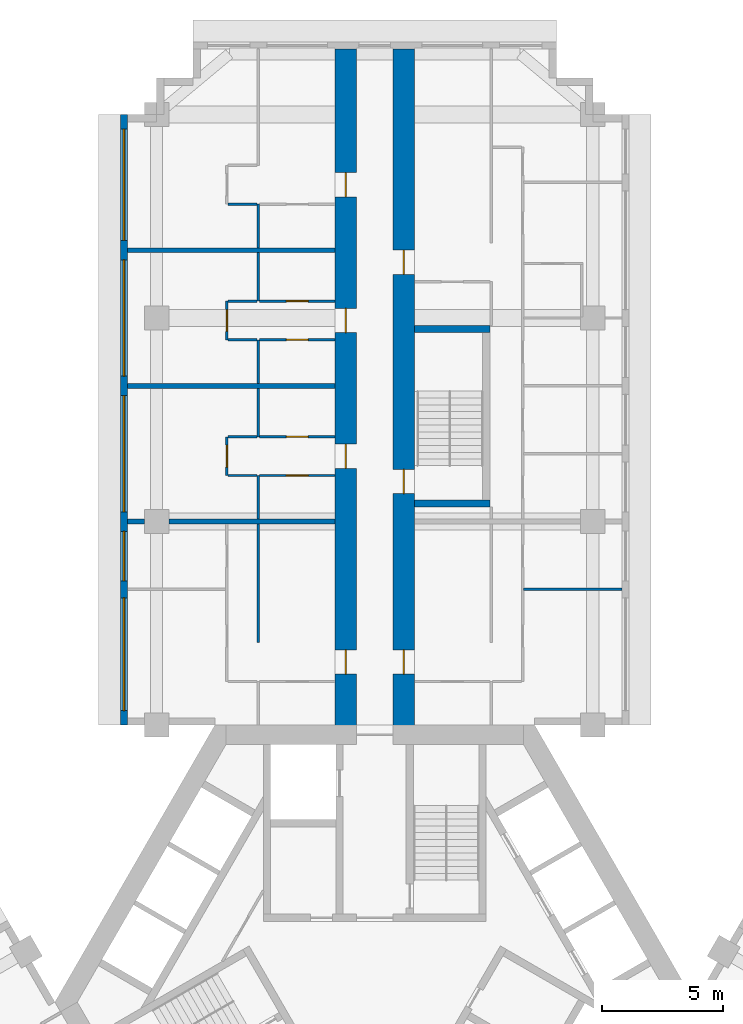
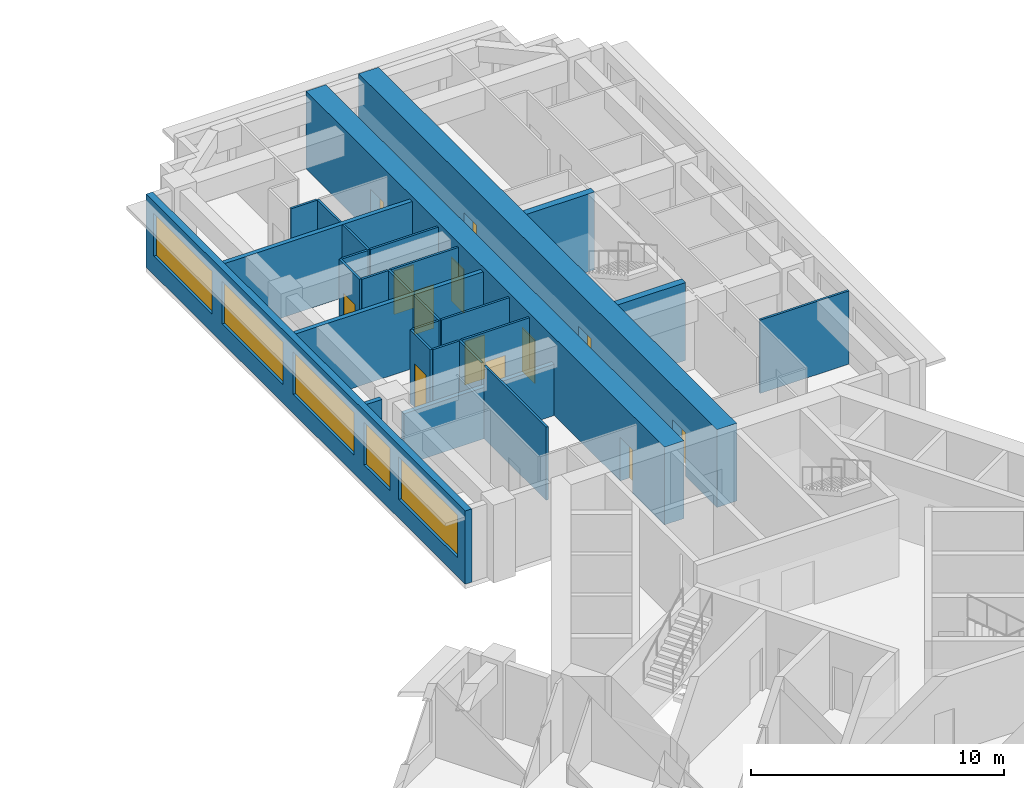
# One storey, part 9 of 15: 27 walls, 13 doors, 5 windows, 18 openings.
"""IFC4 building model written with IfcOpenShell, lengths in metres."""

from ifc_helpers import new_model, si_unit, direction, frame, frame_2d, origin, place, context, subcontext, project, spatial, rectangle, extrude, material, layer, layer_set, type_object, element, fill, save


model = new_model("IFC4")

# Units and contexts
model_context = context("Model", 3, precision=1e-05, world=origin(), true_north=direction((0.0, 1.0)))
body_context = subcontext(model_context, "Body", "Model", "MODEL_VIEW")
ifc_project = project(units=[si_unit("LENGTHUNIT", "METRE"), si_unit("AREAUNIT", "SQUARE_METRE"), si_unit("VOLUMEUNIT", "CUBIC_METRE"), si_unit("PLANEANGLEUNIT", "RADIAN"), si_unit("MASSUNIT", "GRAM", prefix="KILO")], contexts=[model_context])

# Site, building, storey
site_placement = place(None, origin())
site = spatial("IfcSite", under=ifc_project, at=site_placement, CompositionType="ELEMENT")
building_placement = place(site_placement, origin())
building = spatial("IfcBuilding", under=site, at=building_placement, Name="Impinga Residences", CompositionType="ELEMENT")
storey_placement = place(building_placement, frame((0.0, 0.0, 113.5)))
storey = spatial("IfcBuildingStorey", under=building, at=storey_placement, Name="L27", CompositionType="ELEMENT", Elevation=113.5)

# Wall, openings, doors
ifc_material_1 = material(Name="Concrete C60/75", Category="concrete")
ifc_layer_1 = layer(ifc_material_1, 0.89990234375)
ifc_layer_set_1 = layer_set([ifc_layer_1], Name="Concrete C60/75")
wall_type_1 = type_object("IfcWallType", Name="BW2 corridor buttress wall, L24 to L44 900", PredefinedType="SHEAR", material=ifc_layer_set_1)
wall_1_placement = place(storey_placement, frame((-1.199951171875, 11.031494140625, 0.0), z_axis=(0.0, 0.0, 1.0), x_axis=(0.0, 1.0, 0.0)))
wall_1 = element("IfcWall", 1, at=wall_1_placement, inside=storey, type_object=wall_type_1, Name="Corridor wall BW2 NC L27", PredefinedType="SHEAR", context=body_context, shape_type="SweptSolid", body=[
    extrude(rectangle(XDim=28.300048828125, YDim=0.89990234375, at=frame_2d((14.14990234375, 0.0))), origin(), (0.0, 0.0, 1.0), 3.75),
])
opening_1_placement = place(wall_1_placement, frame((2.5, 0.0, 0.0)))
opening_1 = element("IfcOpeningElement", 2, at=opening_1_placement, cuts=wall_1, Name="Opening D1", PredefinedType="OPENING", context=body_context, shape_type="SweptSolid", body=[
    extrude(rectangle(XDim=1.0, YDim=2.10009765625, at=frame_2d((0.5, 1.050048828125))), frame((0.0, 0.4599609375, 0.0), z_axis=(0.0, -1.0, 0.0), x_axis=(1.0, 0.0, 0.0)), (0.0, 0.0, 1.0), 0.919921875),
])
opening_2_placement = place(wall_1_placement, frame((11.0, 0.0, 0.0)))
opening_2 = element("IfcOpeningElement", 3, at=opening_2_placement, cuts=wall_1, Name="Opening D1", PredefinedType="OPENING", context=body_context, shape_type="SweptSolid", body=[
    extrude(rectangle(XDim=1.0, YDim=2.10009765625, at=frame_2d((0.5, 1.050048828125))), frame((0.0, 0.4599609375, 0.0), z_axis=(0.0, -1.0, 0.0), x_axis=(1.0, 0.0, 0.0)), (0.0, 0.0, 1.0), 0.919921875),
])
opening_3_placement = place(wall_1_placement, frame((16.60009765625, 0.0, 0.0)))
opening_3 = element("IfcOpeningElement", 4, at=opening_3_placement, cuts=wall_1, Name="Opening D1", PredefinedType="OPENING", context=body_context, shape_type="SweptSolid", body=[
    extrude(rectangle(XDim=1.0, YDim=2.10009765625, at=frame_2d((0.5, 1.050048828125))), frame((0.0, 0.4599609375, 0.0), z_axis=(0.0, -1.0, 0.0), x_axis=(1.0, 0.0, 0.0)), (0.0, 0.0, 1.0), 0.919921875),
])
opening_4_placement = place(wall_1_placement, frame((22.199951171875, 0.0, 0.0)))
opening_4 = element("IfcOpeningElement", 5, at=opening_4_placement, cuts=wall_1, Name="Opening D1", PredefinedType="OPENING", context=body_context, shape_type="SweptSolid", body=[
    extrude(rectangle(XDim=1.0, YDim=2.10009765625, at=frame_2d((0.5, 1.050048828125))), frame((0.0, 0.4599609375, 0.0), z_axis=(0.0, -1.0, 0.0), x_axis=(1.0, 0.0, 0.0)), (0.0, 0.0, 1.0), 0.919921875),
])
ifc_material_2 = material(Name="Timber door set", Category="wood")
door_type_1 = type_object("IfcDoorType", Name="D1 apartment entrance door 1000x2100", OperationType="SINGLE_SWING_LEFT", PredefinedType="DOOR", material=ifc_material_2)
door_1_placement = place(opening_1_placement, origin())
door_1 = element("IfcDoor", 6, at=door_1_placement, inside=storey, type_object=door_type_1, Name="Apartment L27-NA1 entrance", OperationType="SINGLE_SWING_LEFT", OverallHeight=2.10009765625, OverallWidth=1.0, PredefinedType="DOOR", context=body_context, shape_type="SweptSolid", body=[
    extrude(rectangle(XDim=1.0, YDim=2.10009765625, at=frame_2d((0.5, 1.050048828125))), frame((0.0, 0.02490234375, 0.0), z_axis=(0.0, -1.0, 0.0), x_axis=(1.0, 0.0, 0.0)), (0.0, 0.0, 1.0), 0.050048828125),
])
fill(opening_1, door_1)
door_2_placement = place(opening_2_placement, origin())
door_2 = element("IfcDoor", 7, at=door_2_placement, inside=storey, type_object=door_type_1, Name="Apartment L27-NA2 entrance", OperationType="SINGLE_SWING_LEFT", OverallHeight=2.10009765625, OverallWidth=1.0, PredefinedType="DOOR", context=body_context, shape_type="SweptSolid", body=[
    extrude(rectangle(XDim=1.0, YDim=2.10009765625, at=frame_2d((0.5, 1.050048828125))), frame((0.0, 0.02490234375, 0.0), z_axis=(0.0, -1.0, 0.0), x_axis=(1.0, 0.0, 0.0)), (0.0, 0.0, 1.0), 0.050048828125),
])
fill(opening_2, door_2)
door_3_placement = place(opening_3_placement, origin())
door_3 = element("IfcDoor", 8, at=door_3_placement, inside=storey, type_object=door_type_1, Name="Apartment L27-NA3 entrance", OperationType="SINGLE_SWING_RIGHT", OverallHeight=2.10009765625, OverallWidth=1.0, PredefinedType="DOOR", context=body_context, shape_type="SweptSolid", body=[
    extrude(rectangle(XDim=1.0, YDim=2.10009765625, at=frame_2d((0.5, 1.050048828125))), frame((0.0, 0.02490234375, 0.0), z_axis=(0.0, -1.0, 0.0), x_axis=(1.0, 0.0, 0.0)), (0.0, 0.0, 1.0), 0.050048828125),
])
fill(opening_3, door_3)
door_4_placement = place(opening_4_placement, origin())
door_4 = element("IfcDoor", 9, at=door_4_placement, inside=storey, type_object=door_type_1, Name="Apartment L27-NA4 entrance", OperationType="SINGLE_SWING_RIGHT", OverallHeight=2.10009765625, OverallWidth=1.0, PredefinedType="DOOR", context=body_context, shape_type="SweptSolid", body=[
    extrude(rectangle(XDim=1.0, YDim=2.10009765625, at=frame_2d((0.5, 1.050048828125))), frame((0.0, 0.02490234375, 0.0), z_axis=(0.0, -1.0, 0.0), x_axis=(1.0, 0.0, 0.0)), (0.0, 0.0, 1.0), 0.050048828125),
])
fill(opening_4, door_4)

wall_2_placement = place(storey_placement, frame((1.199951171875, 11.031494140625, 0.0), z_axis=(0.0, 0.0, 1.0), x_axis=(0.0, 1.0, 0.0)))
wall_2 = element("IfcWall", 10, at=wall_2_placement, inside=storey, type_object=wall_type_1, Name="Corridor wall BW2 ND L27", PredefinedType="SHEAR", context=body_context, shape_type="SweptSolid", body=[
    extrude(rectangle(XDim=28.300048828125, YDim=0.89990234375, at=frame_2d((14.14990234375, 0.0))), origin(), (0.0, 0.0, 1.0), 3.75),
])
opening_5_placement = place(wall_2_placement, frame((9.949951171875, 0.0, 0.0)))
opening_5 = element("IfcOpeningElement", 11, at=opening_5_placement, cuts=wall_2, Name="Opening D5", PredefinedType="OPENING", context=body_context, shape_type="SweptSolid", body=[
    extrude(rectangle(XDim=1.0, YDim=2.10009765625, at=frame_2d((0.5, 1.050048828125))), frame((0.0, 0.4599609375, 0.0), z_axis=(0.0, -1.0, 0.0), x_axis=(1.0, 0.0, 0.0)), (0.0, 0.0, 1.0), 0.919921875),
])
opening_6_placement = place(wall_2_placement, frame((2.5, 0.0, 0.0)))
opening_6 = element("IfcOpeningElement", 12, at=opening_6_placement, cuts=wall_2, Name="Opening D1", PredefinedType="OPENING", context=body_context, shape_type="SweptSolid", body=[
    extrude(rectangle(XDim=1.0, YDim=2.10009765625, at=frame_2d((0.5, 1.050048828125))), frame((0.0, 0.4599609375, 0.0), z_axis=(0.0, -1.0, 0.0), x_axis=(1.0, 0.0, 0.0)), (0.0, 0.0, 1.0), 0.919921875),
])
opening_7_placement = place(wall_2_placement, frame((19.0, 0.0, 0.0)))
opening_7 = element("IfcOpeningElement", 13, at=opening_7_placement, cuts=wall_2, Name="Opening D1", PredefinedType="OPENING", context=body_context, shape_type="SweptSolid", body=[
    extrude(rectangle(XDim=1.0, YDim=2.10009765625, at=frame_2d((0.5, 1.050048828125))), frame((0.0, 0.4599609375, 0.0), z_axis=(0.0, -1.0, 0.0), x_axis=(1.0, 0.0, 0.0)), (0.0, 0.0, 1.0), 0.919921875),
])
door_5_placement = place(opening_6_placement, origin())
door_5 = element("IfcDoor", 14, at=door_5_placement, inside=storey, type_object=door_type_1, Name="Apartment L27-NF1 entrance", OperationType="SINGLE_SWING_LEFT", OverallHeight=2.10009765625, OverallWidth=1.0, PredefinedType="DOOR", context=body_context, shape_type="SweptSolid", body=[
    extrude(rectangle(XDim=1.0, YDim=2.10009765625, at=frame_2d((0.5, 1.050048828125))), frame((0.0, 0.02490234375, 0.0), z_axis=(0.0, -1.0, 0.0), x_axis=(1.0, 0.0, 0.0)), (0.0, 0.0, 1.0), 0.050048828125),
])
fill(opening_6, door_5)
door_6_placement = place(opening_7_placement, origin())
door_6 = element("IfcDoor", 15, at=door_6_placement, inside=storey, type_object=door_type_1, Name="Apartment L27-NF2 entrance", OperationType="SINGLE_SWING_RIGHT", OverallHeight=2.10009765625, OverallWidth=1.0, PredefinedType="DOOR", context=body_context, shape_type="SweptSolid", body=[
    extrude(rectangle(XDim=1.0, YDim=2.10009765625, at=frame_2d((0.5, 1.050048828125))), frame((0.0, 0.02490234375, 0.0), z_axis=(0.0, -1.0, 0.0), x_axis=(1.0, 0.0, 0.0)), (0.0, 0.0, 1.0), 0.050048828125),
])
fill(opening_7, door_6)
door_type_2 = type_object("IfcDoorType", Name="D5 stair door 1000x2100", OperationType="SINGLE_SWING_LEFT", PredefinedType="DOOR", material=ifc_material_2)
door_7_placement = place(opening_5_placement, origin())
door_7 = element("IfcDoor", 16, at=door_7_placement, inside=storey, type_object=door_type_2, Name="Wing stair door N", OperationType="SINGLE_SWING_LEFT", OverallHeight=2.10009765625, OverallWidth=1.0, PredefinedType="DOOR", context=body_context, shape_type="SweptSolid", body=[
    extrude(rectangle(XDim=1.0, YDim=2.10009765625, at=frame_2d((0.5, 1.050048828125))), frame((0.0, 0.02490234375, 0.0), z_axis=(0.0, -1.0, 0.0), x_axis=(1.0, 0.0, 0.0)), (0.0, 0.0, 1.0), 0.050048828125),
])
fill(opening_5, door_7)

# Wall, openings, windows
ifc_material_3 = material(Name="Terracotta rainscreen on blockwork", Category="masonry")
ifc_layer_2 = layer(ifc_material_3, 0.300048828125)
ifc_layer_set_2 = layer_set([ifc_layer_2], Name="EW1 external wall, terracotta rainscreen on blockwork 300")
wall_type_2 = type_object("IfcWallType", Name="EW1 external wall, terracotta rainscreen on blockwork 300", PredefinedType="SOLIDWALL", material=ifc_layer_set_2)
wall_3_placement = place(storey_placement, frame((-10.35009765625, 11.431640625, 0.0), z_axis=(0.0, 0.0, 1.0), x_axis=(0.0, 1.0, 0.0)))
wall_3 = element("IfcWall", 17, at=wall_3_placement, inside=storey, type_object=wall_type_2, Name="External wall EW1 L27", PredefinedType="SOLIDWALL", context=body_context, shape_type="SweptSolid", body=[
    extrude(rectangle(XDim=25.199951171875, YDim=0.300048828125, at=frame_2d((12.60009765625, 0.0))), origin(), (0.0, 0.0, 1.0), 3.530029296875),
])
opening_8_placement = place(wall_3_placement, frame((0.60009765625, 0.0, 0.89990234375)))
opening_8 = element("IfcOpeningElement", 18, at=opening_8_placement, cuts=wall_3, Name="Opening W10", PredefinedType="OPENING", context=body_context, shape_type="SweptSolid", body=[
    extrude(rectangle(XDim=4.64990234375, YDim=2.050048828125, at=frame_2d((2.324951171875, 1.02490234375))), frame((0.0, 0.159912109375, 0.0), z_axis=(0.0, -1.0, 0.0), x_axis=(1.0, 0.0, 0.0)), (0.0, 0.0, 1.0), 0.320068359375),
])
opening_9_placement = place(wall_3_placement, frame((5.949951171875, 0.0, 0.89990234375)))
opening_9 = element("IfcOpeningElement", 19, at=opening_9_placement, cuts=wall_3, Name="Opening W14", PredefinedType="OPENING", context=body_context, shape_type="SweptSolid", body=[
    extrude(rectangle(XDim=2.050048828125, YDim=2.050048828125, at=frame_2d((1.02490234375, 1.02490234375))), frame((0.0, 0.159912109375, 0.0), z_axis=(0.0, -1.0, 0.0), x_axis=(1.0, 0.0, 0.0)), (0.0, 0.0, 1.0), 0.320068359375),
])
opening_10_placement = place(wall_3_placement, frame((8.800048828125, 0.0, 0.89990234375)))
opening_10 = element("IfcOpeningElement", 20, at=opening_10_placement, cuts=wall_3, Name="Opening W8", PredefinedType="OPENING", context=body_context, shape_type="SweptSolid", body=[
    extrude(rectangle(XDim=4.800048828125, YDim=2.050048828125, at=frame_2d((2.39990234375, 1.02490234375))), frame((0.0, 0.159912109375, 0.0), z_axis=(0.0, -1.0, 0.0), x_axis=(1.0, 0.0, 0.0)), (0.0, 0.0, 1.0), 0.320068359375),
])
opening_11_placement = place(wall_3_placement, frame((14.39990234375, 0.0, 0.89990234375)))
opening_11 = element("IfcOpeningElement", 21, at=opening_11_placement, cuts=wall_3, Name="Opening W8", PredefinedType="OPENING", context=body_context, shape_type="SweptSolid", body=[
    extrude(rectangle(XDim=4.800048828125, YDim=2.050048828125, at=frame_2d((2.39990234375, 1.02490234375))), frame((0.0, 0.159912109375, 0.0), z_axis=(0.0, -1.0, 0.0), x_axis=(1.0, 0.0, 0.0)), (0.0, 0.0, 1.0), 0.320068359375),
])
opening_12_placement = place(wall_3_placement, frame((20.0, 0.0, 0.89990234375)))
opening_12 = element("IfcOpeningElement", 22, at=opening_12_placement, cuts=wall_3, Name="Opening W3", PredefinedType="OPENING", context=body_context, shape_type="SweptSolid", body=[
    extrude(rectangle(XDim=4.60009765625, YDim=2.050048828125, at=frame_2d((2.300048828125, 1.02490234375))), frame((0.0, 0.159912109375, 0.0), z_axis=(0.0, -1.0, 0.0), x_axis=(1.0, 0.0, 0.0)), (0.0, 0.0, 1.0), 0.320068359375),
])
ifc_material_4 = material(Name="Aluminium window, clear double glazing", Category="aluminium")
window_type_1 = type_object("IfcWindowType", Name="W10 ribbon window 4650x2050", PartitioningType="SINGLE_PANEL", PredefinedType="WINDOW", material=ifc_material_4)
window_1_placement = place(opening_8_placement, origin())
window_1 = element("IfcWindow", 23, at=window_1_placement, inside=storey, type_object=window_type_1, Name="Window L27", OverallHeight=2.050048828125, OverallWidth=4.64990234375, PartitioningType="SINGLE_PANEL", PredefinedType="WINDOW", context=body_context, shape_type="SweptSolid", body=[
    extrude(rectangle(XDim=4.64990234375, YDim=2.050048828125, at=frame_2d((2.324951171875, 1.02490234375))), frame((0.0, 0.030029296875, 0.0), z_axis=(0.0, -1.0, 0.0), x_axis=(1.0, 0.0, 0.0)), (0.0, 0.0, 1.0), 0.06005859375),
])
fill(opening_8, window_1)
window_type_2 = type_object("IfcWindowType", Name="W14 ribbon window 2050x2050", PartitioningType="SINGLE_PANEL", PredefinedType="WINDOW", material=ifc_material_4)
window_2_placement = place(opening_9_placement, origin())
window_2 = element("IfcWindow", 24, at=window_2_placement, inside=storey, type_object=window_type_2, Name="Window L27", OverallHeight=2.050048828125, OverallWidth=2.050048828125, PartitioningType="SINGLE_PANEL", PredefinedType="WINDOW", context=body_context, shape_type="SweptSolid", body=[
    extrude(rectangle(XDim=2.050048828125, YDim=2.050048828125, at=frame_2d((1.02490234375, 1.02490234375))), frame((0.0, 0.030029296875, 0.0), z_axis=(0.0, -1.0, 0.0), x_axis=(1.0, 0.0, 0.0)), (0.0, 0.0, 1.0), 0.06005859375),
])
fill(opening_9, window_2)
window_type_3 = type_object("IfcWindowType", Name="W3 ribbon window 4600x2050", PartitioningType="SINGLE_PANEL", PredefinedType="WINDOW", material=ifc_material_4)
window_3_placement = place(opening_12_placement, origin())
window_3 = element("IfcWindow", 25, at=window_3_placement, inside=storey, type_object=window_type_3, Name="Window L27", OverallHeight=2.050048828125, OverallWidth=4.60009765625, PartitioningType="SINGLE_PANEL", PredefinedType="WINDOW", context=body_context, shape_type="SweptSolid", body=[
    extrude(rectangle(XDim=4.60009765625, YDim=2.050048828125, at=frame_2d((2.300048828125, 1.02490234375))), frame((0.0, 0.030029296875, 0.0), z_axis=(0.0, -1.0, 0.0), x_axis=(1.0, 0.0, 0.0)), (0.0, 0.0, 1.0), 0.06005859375),
])
fill(opening_12, window_3)
window_type_4 = type_object("IfcWindowType", Name="W8 ribbon window 4800x2050", PartitioningType="SINGLE_PANEL", PredefinedType="WINDOW", material=ifc_material_4)
window_4_placement = place(opening_10_placement, origin())
window_4 = element("IfcWindow", 26, at=window_4_placement, inside=storey, type_object=window_type_4, Name="Window L27", OverallHeight=2.050048828125, OverallWidth=4.800048828125, PartitioningType="SINGLE_PANEL", PredefinedType="WINDOW", context=body_context, shape_type="SweptSolid", body=[
    extrude(rectangle(XDim=4.800048828125, YDim=2.050048828125, at=frame_2d((2.39990234375, 1.02490234375))), frame((0.0, 0.030029296875, 0.0), z_axis=(0.0, -1.0, 0.0), x_axis=(1.0, 0.0, 0.0)), (0.0, 0.0, 1.0), 0.06005859375),
])
fill(opening_10, window_4)
window_5_placement = place(opening_11_placement, origin())
window_5 = element("IfcWindow", 27, at=window_5_placement, inside=storey, type_object=window_type_4, Name="Window L27", OverallHeight=2.050048828125, OverallWidth=4.800048828125, PartitioningType="SINGLE_PANEL", PredefinedType="WINDOW", context=body_context, shape_type="SweptSolid", body=[
    extrude(rectangle(XDim=4.800048828125, YDim=2.050048828125, at=frame_2d((2.39990234375, 1.02490234375))), frame((0.0, 0.030029296875, 0.0), z_axis=(0.0, -1.0, 0.0), x_axis=(1.0, 0.0, 0.0)), (0.0, 0.0, 1.0), 0.06005859375),
])
fill(opening_11, window_5)

# Walls
ifc_material_5 = material(Name="Gypsum board on steel studs", Category="steel")
ifc_layer_3 = layer(ifc_material_5, 0.10009765625)
ifc_layer_set_3 = layer_set([ifc_layer_3], Name="Gypsum board on steel studs")
wall_type_3 = type_object("IfcWallType", Name="IP1 partition 100", PredefinedType="PARTITIONING", material=ifc_layer_set_3)
wall_4_placement = place(storey_placement, frame((-4.800048828125, 14.83154296875, 0.0), z_axis=(0.0, 0.0, 1.0), x_axis=(0.0, 1.0, 0.0)))
element("IfcWall", 28, at=wall_4_placement, inside=storey, type_object=wall_type_3, Name="Partition L27-NA1:DIV1", PredefinedType="PARTITIONING", context=body_context, shape_type="SweptSolid", body=[
    extrude(rectangle(XDim=4.89990234375, YDim=0.10009765625, at=frame_2d((2.449951171875, 0.0))), origin(), (0.0, 0.0, 1.0), 3.530029296875),
])
wall_5_placement = place(storey_placement, frame((-4.800048828125, 19.931640625, 0.0), z_axis=(0.0, 0.0, 1.0), x_axis=(0.0, 1.0, 0.0)))
element("IfcWall", 29, at=wall_5_placement, inside=storey, type_object=wall_type_3, Name="Partition L27-NA2:DIV0", PredefinedType="PARTITIONING", context=body_context, shape_type="SweptSolid", body=[
    extrude(rectangle(XDim=1.7998046875, YDim=0.10009765625, at=frame_2d((0.89990234375, 0.0))), origin(), (0.0, 0.0, 1.0), 3.530029296875),
])
wall_6_placement = place(storey_placement, frame((-4.800048828125, 23.33154296875, 0.0), z_axis=(0.0, 0.0, 1.0), x_axis=(0.0, 1.0, 0.0)))
element("IfcWall", 30, at=wall_6_placement, inside=storey, type_object=wall_type_3, Name="Partition L27-NA2:DIV1", PredefinedType="PARTITIONING", context=body_context, shape_type="SweptSolid", body=[
    extrude(rectangle(XDim=2.0, YDim=0.10009765625, at=frame_2d((1.0, 0.0))), origin(), (0.0, 0.0, 1.0), 3.530029296875),
])

# Wall, opening, door
wall_7_placement = place(storey_placement, frame((-6.10009765625, 21.7314453125, 0.0), z_axis=(0.0, 0.0, 1.0), x_axis=(0.0, 1.0, 0.0)))
wall_7 = element("IfcWall", 31, at=wall_7_placement, inside=storey, type_object=wall_type_3, Name="Partition L27-NA2:STRIP", PredefinedType="PARTITIONING", context=body_context, shape_type="SweptSolid", body=[
    extrude(rectangle(XDim=1.60009765625, YDim=0.10009765625, at=frame_2d((0.800048828125, 0.0))), origin(), (0.0, 0.0, 1.0), 3.530029296875),
])
opening_13_placement = place(wall_7_placement, frame((0.35009765625, 0.0, 0.0)))
opening_13 = element("IfcOpeningElement", 32, at=opening_13_placement, cuts=wall_7, Name="Opening D2", PredefinedType="OPENING", context=body_context, shape_type="SweptSolid", body=[
    extrude(rectangle(XDim=0.89990234375, YDim=2.10009765625, at=frame_2d((0.449951171875, 1.050048828125))), frame((0.0, 0.06005859375, 0.0), z_axis=(0.0, -1.0, 0.0), x_axis=(1.0, 0.0, 0.0)), (0.0, 0.0, 1.0), 0.1201171875),
])
door_type_3 = type_object("IfcDoorType", Name="D2 internal door 900x2100", OperationType="SINGLE_SWING_LEFT", PredefinedType="DOOR", material=ifc_material_2)
door_8_placement = place(opening_13_placement, origin())
door_8 = element("IfcDoor", 33, at=door_8_placement, inside=storey, type_object=door_type_3, Name="Apartment L27-NA2 room door", OperationType="SINGLE_SWING_LEFT", OverallHeight=2.10009765625, OverallWidth=0.89990234375, PredefinedType="DOOR", context=body_context, shape_type="SweptSolid", body=[
    extrude(rectangle(XDim=0.89990234375, YDim=2.10009765625, at=frame_2d((0.449951171875, 1.050048828125))), frame((0.0, 0.02490234375, 0.0), z_axis=(0.0, -1.0, 0.0), x_axis=(1.0, 0.0, 0.0)), (0.0, 0.0, 1.0), 0.050048828125),
])
fill(opening_13, door_8)

# Walls
for number, where, z_axis, x_axis, name in (
    (34, (-4.85009765625, 21.7314453125, 0.0), (0.0, 0.0, 1.0), (-1.0, 0.0, 0.0), "Partition L27-NA2:SE0"),
    (35, (-4.85009765625, 23.33154296875, 0.0), (0.0, 0.0, 1.0), (-1.0, 0.0, 0.0), "Partition L27-NA2:SE1"),
):
    element("IfcWall", number, at=place(storey_placement, frame(where, z_axis=z_axis, x_axis=x_axis)), inside=storey, type_object=wall_type_3, Name=name, PredefinedType="PARTITIONING", context=body_context, shape_type="SweptSolid", body=[
        extrude(rectangle(XDim=1.199951171875, YDim=0.10009765625, at=frame_2d((0.60009765625, 0.0))), origin(), (0.0, 0.0, 1.0), 3.530029296875),
    ])

# Wall, opening, door
wall_8_placement = place(storey_placement, frame((-1.64990234375, 21.7314453125, 0.0), z_axis=(0.0, 0.0, 1.0), x_axis=(-1.0, 0.0, 0.0)))
wall_8 = element("IfcWall", 36, at=wall_8_placement, inside=storey, type_object=wall_type_3, Name="Partition L27-NA2:IB1", PredefinedType="PARTITIONING", context=body_context, shape_type="SweptSolid", body=[
    extrude(rectangle(XDim=3.10009765625, YDim=0.10009765625, at=frame_2d((1.550048828125, 0.0))), origin(), (0.0, 0.0, 1.0), 3.530029296875),
])
opening_14_placement = place(wall_8_placement, frame((1.10009765625, 0.0, 0.0)))
opening_14 = element("IfcOpeningElement", 37, at=opening_14_placement, cuts=wall_8, Name="Opening D2", PredefinedType="OPENING", context=body_context, shape_type="SweptSolid", body=[
    extrude(rectangle(XDim=0.89990234375, YDim=2.10009765625, at=frame_2d((0.449951171875, 1.050048828125))), frame((0.0, 0.06005859375, 0.0), z_axis=(0.0, -1.0, 0.0), x_axis=(1.0, 0.0, 0.0)), (0.0, 0.0, 1.0), 0.1201171875),
])
door_9_placement = place(opening_14_placement, origin())
door_9 = element("IfcDoor", 38, at=door_9_placement, inside=storey, type_object=door_type_3, Name="Apartment L27-NA2 bathroom door", OperationType="SINGLE_SWING_LEFT", OverallHeight=2.10009765625, OverallWidth=0.89990234375, PredefinedType="DOOR", context=body_context, shape_type="SweptSolid", body=[
    extrude(rectangle(XDim=0.89990234375, YDim=2.10009765625, at=frame_2d((0.449951171875, 1.050048828125))), frame((0.0, 0.02490234375, 0.0), z_axis=(0.0, -1.0, 0.0), x_axis=(1.0, 0.0, 0.0)), (0.0, 0.0, 1.0), 0.050048828125),
])
fill(opening_14, door_9)

wall_9_placement = place(storey_placement, frame((-1.64990234375, 23.33154296875, 0.0), z_axis=(0.0, 0.0, 1.0), x_axis=(-1.0, 0.0, 0.0)))
wall_9 = element("IfcWall", 39, at=wall_9_placement, inside=storey, type_object=wall_type_3, Name="Partition L27-NA2:IB2", PredefinedType="PARTITIONING", context=body_context, shape_type="SweptSolid", body=[
    extrude(rectangle(XDim=3.10009765625, YDim=0.10009765625, at=frame_2d((1.550048828125, 0.0))), origin(), (0.0, 0.0, 1.0), 3.530029296875),
])
opening_15_placement = place(wall_9_placement, frame((1.10009765625, 0.0, 0.0)))
opening_15 = element("IfcOpeningElement", 40, at=opening_15_placement, cuts=wall_9, Name="Opening D2", PredefinedType="OPENING", context=body_context, shape_type="SweptSolid", body=[
    extrude(rectangle(XDim=0.89990234375, YDim=2.10009765625, at=frame_2d((0.449951171875, 1.050048828125))), frame((0.0, 0.06005859375, 0.0), z_axis=(0.0, -1.0, 0.0), x_axis=(1.0, 0.0, 0.0)), (0.0, 0.0, 1.0), 0.1201171875),
])
door_10_placement = place(opening_15_placement, origin())
door_10 = element("IfcDoor", 41, at=door_10_placement, inside=storey, type_object=door_type_3, Name="Apartment L27-NA2 WC door", OperationType="SINGLE_SWING_LEFT", OverallHeight=2.10009765625, OverallWidth=0.89990234375, PredefinedType="DOOR", context=body_context, shape_type="SweptSolid", body=[
    extrude(rectangle(XDim=0.89990234375, YDim=2.10009765625, at=frame_2d((0.449951171875, 1.050048828125))), frame((0.0, 0.02490234375, 0.0), z_axis=(0.0, -1.0, 0.0), x_axis=(1.0, 0.0, 0.0)), (0.0, 0.0, 1.0), 0.050048828125),
])
fill(opening_15, door_10)

# Walls
wall_10_placement = place(storey_placement, frame((-4.800048828125, 25.531494140625, 0.0), z_axis=(0.0, 0.0, 1.0), x_axis=(0.0, 1.0, 0.0)))
element("IfcWall", 42, at=wall_10_placement, inside=storey, type_object=wall_type_3, Name="Partition L27-NA3:DIV0", PredefinedType="PARTITIONING", context=body_context, shape_type="SweptSolid", body=[
    extrude(rectangle(XDim=1.800048828125, YDim=0.10009765625, at=frame_2d((0.89990234375, 0.0))), origin(), (0.0, 0.0, 1.0), 3.530029296875),
])
wall_11_placement = place(storey_placement, frame((-4.800048828125, 28.931640625, 0.0), z_axis=(0.0, 0.0, 1.0), x_axis=(0.0, 1.0, 0.0)))
element("IfcWall", 43, at=wall_11_placement, inside=storey, type_object=wall_type_3, Name="Partition L27-NA3:DIV1", PredefinedType="PARTITIONING", context=body_context, shape_type="SweptSolid", body=[
    extrude(rectangle(XDim=2.0, YDim=0.10009765625, at=frame_2d((1.0, 0.0))), origin(), (0.0, 0.0, 1.0), 3.530029296875),
])

# Wall, opening, door
wall_12_placement = place(storey_placement, frame((-6.10009765625, 27.33154296875, 0.0), z_axis=(0.0, 0.0, 1.0), x_axis=(0.0, 1.0, 0.0)))
wall_12 = element("IfcWall", 44, at=wall_12_placement, inside=storey, type_object=wall_type_3, Name="Partition L27-NA3:STRIP", PredefinedType="PARTITIONING", context=body_context, shape_type="SweptSolid", body=[
    extrude(rectangle(XDim=1.60009765625, YDim=0.10009765625, at=frame_2d((0.800048828125, 0.0))), origin(), (0.0, 0.0, 1.0), 3.530029296875),
])
opening_16_placement = place(wall_12_placement, frame((0.35009765625, 0.0, 0.0)))
opening_16 = element("IfcOpeningElement", 45, at=opening_16_placement, cuts=wall_12, Name="Opening D2", PredefinedType="OPENING", context=body_context, shape_type="SweptSolid", body=[
    extrude(rectangle(XDim=0.89990234375, YDim=2.10009765625, at=frame_2d((0.449951171875, 1.050048828125))), frame((0.0, 0.06005859375, 0.0), z_axis=(0.0, -1.0, 0.0), x_axis=(1.0, 0.0, 0.0)), (0.0, 0.0, 1.0), 0.1201171875),
])
door_11_placement = place(opening_16_placement, origin())
door_11 = element("IfcDoor", 46, at=door_11_placement, inside=storey, type_object=door_type_3, Name="Apartment L27-NA3 room door", OperationType="SINGLE_SWING_LEFT", OverallHeight=2.10009765625, OverallWidth=0.89990234375, PredefinedType="DOOR", context=body_context, shape_type="SweptSolid", body=[
    extrude(rectangle(XDim=0.89990234375, YDim=2.10009765625, at=frame_2d((0.449951171875, 1.050048828125))), frame((0.0, 0.02490234375, 0.0), z_axis=(0.0, -1.0, 0.0), x_axis=(1.0, 0.0, 0.0)), (0.0, 0.0, 1.0), 0.050048828125),
])
fill(opening_16, door_11)

# Walls
for number, where, z_axis, x_axis, name in (
    (47, (-4.85009765625, 27.33154296875, 0.0), (0.0, 0.0, 1.0), (-1.0, 0.0, 0.0), "Partition L27-NA3:SE0"),
    (48, (-4.85009765625, 28.931640625, 0.0), (0.0, 0.0, 1.0), (-1.0, 0.0, 0.0), "Partition L27-NA3:SE1"),
):
    element("IfcWall", number, at=place(storey_placement, frame(where, z_axis=z_axis, x_axis=x_axis)), inside=storey, type_object=wall_type_3, Name=name, PredefinedType="PARTITIONING", context=body_context, shape_type="SweptSolid", body=[
        extrude(rectangle(XDim=1.199951171875, YDim=0.10009765625, at=frame_2d((0.60009765625, 0.0))), origin(), (0.0, 0.0, 1.0), 3.530029296875),
    ])

# Wall, opening, door
wall_13_placement = place(storey_placement, frame((-1.64990234375, 27.33154296875, 0.0), z_axis=(0.0, 0.0, 1.0), x_axis=(-1.0, 0.0, 0.0)))
wall_13 = element("IfcWall", 49, at=wall_13_placement, inside=storey, type_object=wall_type_3, Name="Partition L27-NA3:IB1", PredefinedType="PARTITIONING", context=body_context, shape_type="SweptSolid", body=[
    extrude(rectangle(XDim=3.10009765625, YDim=0.10009765625, at=frame_2d((1.550048828125, 0.0))), origin(), (0.0, 0.0, 1.0), 3.530029296875),
])
opening_17_placement = place(wall_13_placement, frame((1.10009765625, 0.0, 0.0)))
opening_17 = element("IfcOpeningElement", 50, at=opening_17_placement, cuts=wall_13, Name="Opening D2", PredefinedType="OPENING", context=body_context, shape_type="SweptSolid", body=[
    extrude(rectangle(XDim=0.89990234375, YDim=2.10009765625, at=frame_2d((0.449951171875, 1.050048828125))), frame((0.0, 0.06005859375, 0.0), z_axis=(0.0, -1.0, 0.0), x_axis=(1.0, 0.0, 0.0)), (0.0, 0.0, 1.0), 0.1201171875),
])
door_12_placement = place(opening_17_placement, origin())
door_12 = element("IfcDoor", 51, at=door_12_placement, inside=storey, type_object=door_type_3, Name="Apartment L27-NA3 bathroom door", OperationType="SINGLE_SWING_LEFT", OverallHeight=2.10009765625, OverallWidth=0.89990234375, PredefinedType="DOOR", context=body_context, shape_type="SweptSolid", body=[
    extrude(rectangle(XDim=0.89990234375, YDim=2.10009765625, at=frame_2d((0.449951171875, 1.050048828125))), frame((0.0, 0.02490234375, 0.0), z_axis=(0.0, -1.0, 0.0), x_axis=(1.0, 0.0, 0.0)), (0.0, 0.0, 1.0), 0.050048828125),
])
fill(opening_17, door_12)

wall_14_placement = place(storey_placement, frame((-1.64990234375, 28.931640625, 0.0), z_axis=(0.0, 0.0, 1.0), x_axis=(-1.0, 0.0, 0.0)))
wall_14 = element("IfcWall", 52, at=wall_14_placement, inside=storey, type_object=wall_type_3, Name="Partition L27-NA3:IB2", PredefinedType="PARTITIONING", context=body_context, shape_type="SweptSolid", body=[
    extrude(rectangle(XDim=3.10009765625, YDim=0.10009765625, at=frame_2d((1.550048828125, 0.0))), origin(), (0.0, 0.0, 1.0), 3.530029296875),
])
opening_18_placement = place(wall_14_placement, frame((1.10009765625, 0.0, 0.0)))
opening_18 = element("IfcOpeningElement", 53, at=opening_18_placement, cuts=wall_14, Name="Opening D2", PredefinedType="OPENING", context=body_context, shape_type="SweptSolid", body=[
    extrude(rectangle(XDim=0.89990234375, YDim=2.10009765625, at=frame_2d((0.449951171875, 1.050048828125))), frame((0.0, 0.06005859375, 0.0), z_axis=(0.0, -1.0, 0.0), x_axis=(1.0, 0.0, 0.0)), (0.0, 0.0, 1.0), 0.1201171875),
])
door_13_placement = place(opening_18_placement, origin())
door_13 = element("IfcDoor", 54, at=door_13_placement, inside=storey, type_object=door_type_3, Name="Apartment L27-NA3 WC door", OperationType="SINGLE_SWING_LEFT", OverallHeight=2.10009765625, OverallWidth=0.89990234375, PredefinedType="DOOR", context=body_context, shape_type="SweptSolid", body=[
    extrude(rectangle(XDim=0.89990234375, YDim=2.10009765625, at=frame_2d((0.449951171875, 1.050048828125))), frame((0.0, 0.02490234375, 0.0), z_axis=(0.0, -1.0, 0.0), x_axis=(1.0, 0.0, 0.0)), (0.0, 0.0, 1.0), 0.050048828125),
])
fill(opening_18, door_13)

# Walls
wall_15_placement = place(storey_placement, frame((-4.800048828125, 31.131591796875, 0.0), z_axis=(0.0, 0.0, 1.0), x_axis=(0.0, 1.0, 0.0)))
element("IfcWall", 55, at=wall_15_placement, inside=storey, type_object=wall_type_3, Name="Partition L27-NA4:DIV0", PredefinedType="PARTITIONING", context=body_context, shape_type="SweptSolid", body=[
    extrude(rectangle(XDim=1.800048828125, YDim=0.10009765625, at=frame_2d((0.89990234375, 0.0))), origin(), (0.0, 0.0, 1.0), 3.530029296875),
])
wall_16_placement = place(storey_placement, frame((-4.85009765625, 32.931640625, 0.0), z_axis=(0.0, 0.0, 1.0), x_axis=(-1.0, 0.0, 0.0)))
element("IfcWall", 56, at=wall_16_placement, inside=storey, type_object=wall_type_3, Name="Partition L27-NA4:SE0", PredefinedType="PARTITIONING", context=body_context, shape_type="SweptSolid", body=[
    extrude(rectangle(XDim=1.199951171875, YDim=0.10009765625, at=frame_2d((0.60009765625, 0.0))), origin(), (0.0, 0.0, 1.0), 3.530029296875),
])
wall_17_placement = place(storey_placement, frame((6.14990234375, 17.031494140625, 0.0), z_axis=(0.0, 0.0, 1.0), x_axis=(1.0, 0.0, 0.0)))
element("IfcWall", 57, at=wall_17_placement, inside=storey, type_object=wall_type_3, Name="Partition L27-NF1:OB1", PredefinedType="PARTITIONING", context=body_context, shape_type="SweptSolid", body=[
    extrude(rectangle(XDim=4.050048828125, YDim=0.10009765625, at=frame_2d((2.02490234375, 0.0))), origin(), (0.0, 0.0, 1.0), 3.530029296875),
])
ifc_material_6 = material(Name="Concrete blockwork", Category="masonry")
ifc_layer_4 = layer(ifc_material_6, 0.199951171875)
ifc_layer_set_4 = layer_set([ifc_layer_4], Name="PW1 party wall between apartments 200")
wall_type_4 = type_object("IfcWallType", Name="PW1 party wall between apartments 200", PredefinedType="SOLIDWALL", material=ifc_layer_set_4)
wall_18_placement = place(storey_placement, frame((-1.64990234375, 19.83154296875, 0.0), z_axis=(0.0, 0.0, 1.0), x_axis=(-1.0, 0.0, 0.0)))
element("IfcWall", 58, at=wall_18_placement, inside=storey, type_object=wall_type_4, Name="Party wall between apartments L27-NA1:PARTY", PredefinedType="SOLIDWALL", context=body_context, shape_type="SweptSolid", body=[
    extrude(rectangle(XDim=6.85009765625, YDim=0.199951171875, at=frame_2d((3.425048828125, 0.0))), origin(), (0.0, 0.0, 1.0), 2.47998046875),
])
wall_19_placement = place(storey_placement, frame((-9.5, 19.83154296875, 0.0), z_axis=(0.0, 0.0, 1.0), x_axis=(-1.0, 0.0, 0.0)))
element("IfcWall", 59, at=wall_19_placement, inside=storey, type_object=wall_type_4, Name="Party wall between apartments L27-NA1:PARTYb", PredefinedType="SOLIDWALL", context=body_context, shape_type="SweptSolid", body=[
    extrude(rectangle(XDim=0.699951171875, YDim=0.199951171875, at=frame_2d((0.35009765625, 0.0))), origin(), (0.0, 0.0, 1.0), 3.530029296875),
])
for number, where, z_axis, x_axis, name in (
    (60, (-1.64990234375, 25.431640625, 0.0), (0.0, 0.0, 1.0), (-1.0, 0.0, 0.0), "Party wall between apartments L27-NA2:PARTY"),
    (61, (-1.64990234375, 31.031494140625, 0.0), (0.0, 0.0, 1.0), (-1.0, 0.0, 0.0), "Party wall between apartments L27-NA3:PARTY"),
):
    element("IfcWall", number, at=place(storey_placement, frame(where, z_axis=z_axis, x_axis=x_axis)), inside=storey, type_object=wall_type_4, Name=name, PredefinedType="SOLIDWALL", context=body_context, shape_type="SweptSolid", body=[
        extrude(rectangle(XDim=8.550048828125, YDim=0.199951171875, at=frame_2d((4.27490234375, 0.0))), origin(), (0.0, 0.0, 1.0), 3.530029296875),
    ])
ifc_layer_5 = layer(ifc_material_1, 0.300048828125)
ifc_layer_set_5 = layer_set([ifc_layer_5], Name="Concrete C60/75")
wall_type_5 = type_object("IfcWallType", Name="SE1 wing stair enclosure wall 300", PredefinedType="SOLIDWALL", material=ifc_layer_set_5)
for number, where, z_axis, x_axis, name in (
    (62, (1.64990234375, 20.58154296875, 0.0), (0.0, 0.0, 1.0), (1.0, 0.0, 0.0), "Stair enclosure wall SE1 N END0 L27"),
    (63, (1.64990234375, 27.781494140625, 0.0), (0.0, 0.0, 1.0), (1.0, 0.0, 0.0), "Stair enclosure wall SE1 N END1 L27"),
):
    element("IfcWall", number, at=place(storey_placement, frame(where, z_axis=z_axis, x_axis=x_axis)), inside=storey, type_object=wall_type_5, Name=name, PredefinedType="SOLIDWALL", context=body_context, shape_type="SweptSolid", body=[
        extrude(rectangle(XDim=3.10009765625, YDim=0.300048828125, at=frame_2d((1.550048828125, 0.0))), origin(), (0.0, 0.0, 1.0), 3.75),
    ])

save(model, "model.ifc")
